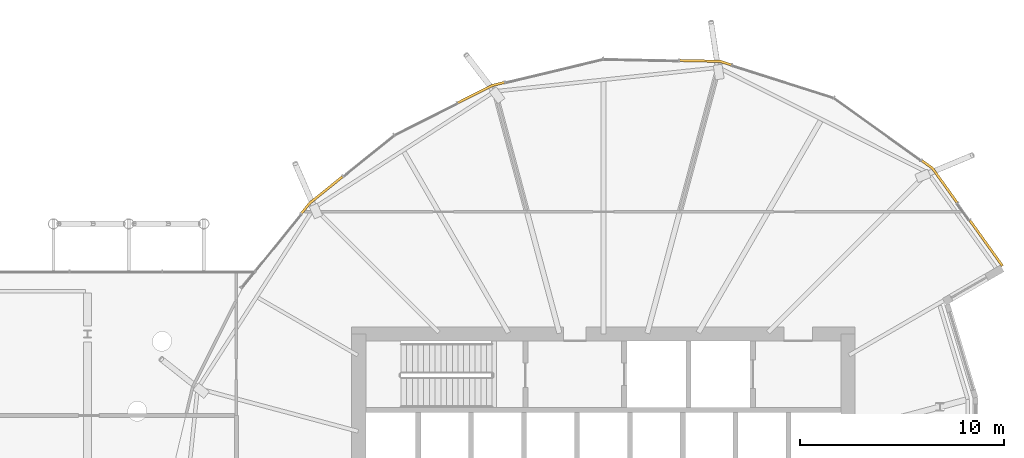
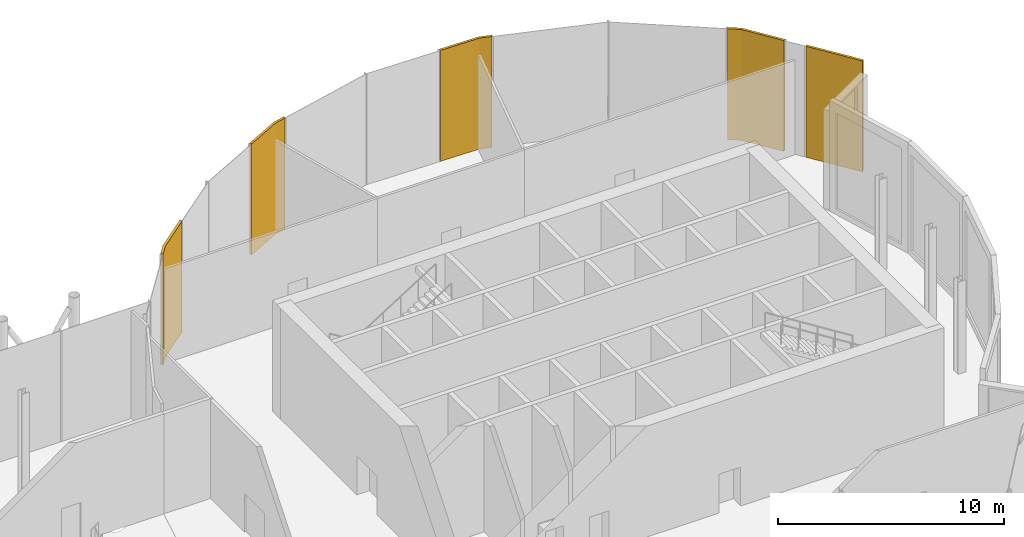
# One storey, part 37 of 38: 5 coverings.
"""IFC4 building model written with IfcOpenShell, lengths in metres."""

from ifc_helpers import new_model, si_unit, direction, frame, origin, place, context, subcontext, project, spatial, polyline, outline, extrude, material, layer, layer_set, type_object, element, save


model = new_model("IFC4")

# Units and contexts
model_context = context("Model", 3, precision=1e-05, world=origin(), true_north=direction((0.0, 1.0)))
body_context = subcontext(model_context, "Body", "Model", "MODEL_VIEW")
ifc_project = project(units=[si_unit("LENGTHUNIT", "METRE"), si_unit("AREAUNIT", "SQUARE_METRE"), si_unit("VOLUMEUNIT", "CUBIC_METRE"), si_unit("PLANEANGLEUNIT", "RADIAN"), si_unit("MASSUNIT", "GRAM", prefix="KILO")], contexts=[model_context])

# Site, building, storey
site_placement = place(None, origin())
site = spatial("IfcSite", under=ifc_project, at=site_placement, CompositionType="ELEMENT")
building_placement = place(site_placement, origin())
building = spatial("IfcBuilding", under=site, at=building_placement, Name="Rimbun Link Towers", CompositionType="ELEMENT")
storey_placement = place(building_placement, frame((0.0, 0.0, 133.199951171875)))
storey = spatial("IfcBuildingStorey", under=building, at=storey_placement, Name="L32", CompositionType="ELEMENT", Elevation=133.199951171875)

# Coverings
ifc_material = material(Name="Terracotta", Category="masonry")
ifc_layer = layer(ifc_material, 0.1201171875)
ifc_layer_set = layer_set([ifc_layer], Name="LINK PIER terracotta cladding 120")
covering_type = type_object("IfcCoveringType", Name="LINK PIER terracotta cladding 120", PredefinedType="CLADDING", material=ifc_layer_set)
covering_1_placement = place(storey_placement, origin())
element("IfcCovering", 1, at=covering_1_placement, inside=storey, type_object=covering_type, Name="LINK PIER cladding", PredefinedType="CLADDING", context=body_context, shape_type="SweptSolid", body=[
    extrude(outline(polyline([(47.33544921875, 16.45068359375), (47.839111328125, 16.089111328125), (49.0458984375, 14.4072265625), (49.143310546875, 14.477294921875), (47.925048828125, 16.175048828125), (47.4052734375, 16.548095703125), (47.33544921875, 16.45068359375)])), origin(), (0.0, 0.0, 1.0), 6.0),
])
covering_2_placement = place(storey_placement, origin())
element("IfcCovering", 2, at=covering_2_placement, inside=storey, type_object=covering_type, Name="LINK PIER cladding", PredefinedType="CLADDING", context=body_context, shape_type="SweptSolid", body=[
    extrude(outline(polyline([(35.49072265625, 21.352294921875), (37.460205078125, 21.310791015625), (38.00341796875, 21.13818359375), (38.039794921875, 21.25244140625), (37.47998046875, 21.430419921875), (35.4931640625, 21.472412109375), (35.49072265625, 21.352294921875)])), origin(), (0.0, 0.0, 1.0), 6.0),
])
covering_3_placement = place(storey_placement, origin())
element("IfcCovering", 3, at=covering_3_placement, inside=storey, type_object=covering_type, Name="LINK PIER cladding", PredefinedType="CLADDING", context=body_context, shape_type="SweptSolid", body=[
    extrude(outline(polyline([(24.637451171875, 19.279052734375), (26.353271484375, 20.140625), (26.90771484375, 20.273193359375), (26.879638671875, 20.389892578125), (26.311767578125, 20.254150390625), (24.583740234375, 19.38623046875), (24.637451171875, 19.279052734375)])), origin(), (0.0, 0.0, 1.0), 6.0),
])
covering_4_placement = place(storey_placement, origin())
element("IfcCovering", 4, at=covering_4_placement, inside=storey, type_object=covering_type, Name="LINK PIER cladding", PredefinedType="CLADDING", context=body_context, shape_type="SweptSolid", body=[
    extrude(outline(polyline([(16.99462890625, 13.88330078125), (17.384765625, 14.365234375), (18.99365234375, 15.667724609375), (18.918212890625, 15.760986328125), (17.29931640625, 14.45068359375), (16.9013671875, 13.958984375), (16.99462890625, 13.88330078125)])), origin(), (0.0, 0.0, 1.0), 6.0),
])
covering_5_placement = place(storey_placement, origin())
element("IfcCovering", 5, at=covering_5_placement, inside=storey, type_object=covering_type, Name="LINK PIER cladding", PredefinedType="CLADDING", context=body_context, shape_type="SweptSolid", body=[
    extrude(outline(polyline([(49.67431640625, 13.531494140625), (51.271728515625, 11.305419921875), (51.369384765625, 11.375244140625), (49.77197265625, 13.6015625), (49.67431640625, 13.531494140625)])), origin(), (0.0, 0.0, 1.0), 6.0),
])

save(model, "model.ifc")
